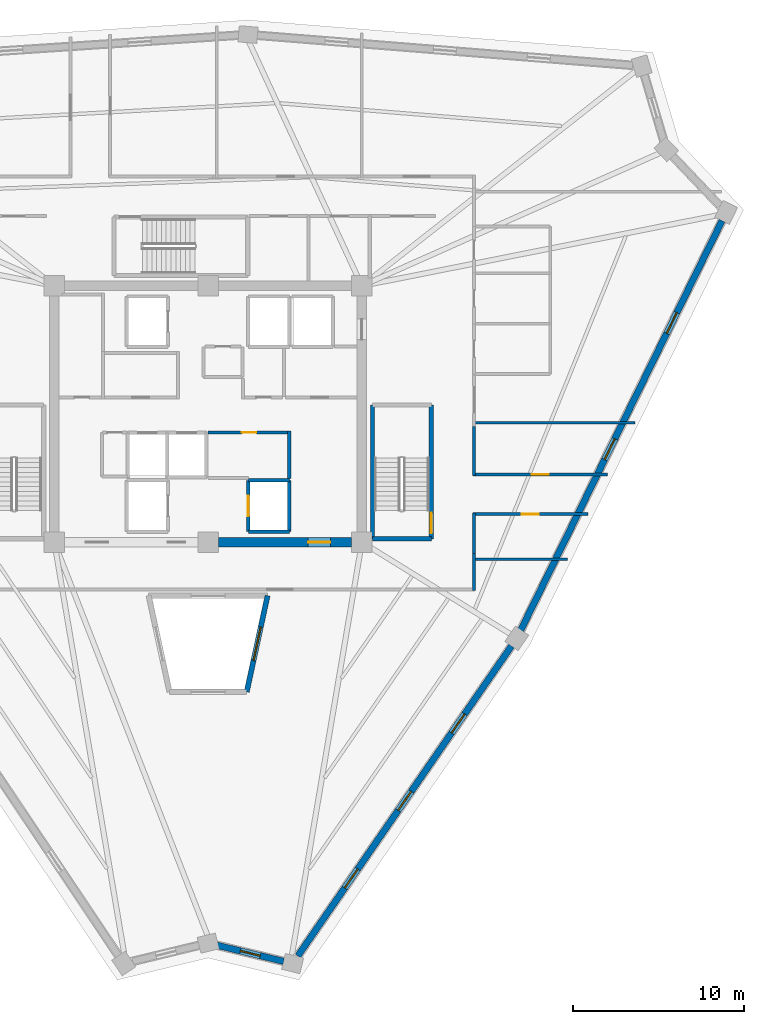
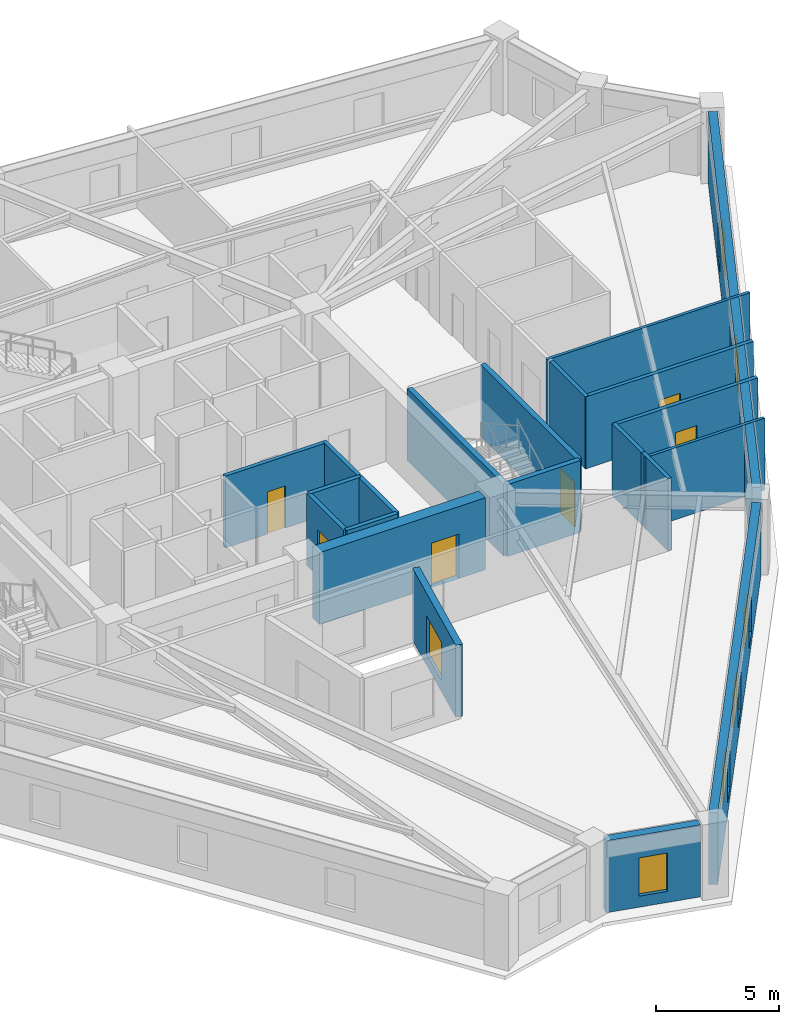
# One storey, part 4 of 8: 21 walls, 7 windows, 6 doors, 13 openings.
"""IFC4 building model written with IfcOpenShell, lengths in metres."""

from ifc_helpers import new_model, si_unit, direction, frame, frame_2d, origin, place, context, subcontext, project, spatial, rectangle, extrude, source, transform, mapped, material, layer, layer_set, type_object, element, fill, save


model = new_model("IFC4")

# Units and contexts
model_context = context("Model", 3, precision=1e-05, world=origin(), true_north=direction((0.0, 1.0)))
body_context = subcontext(model_context, "Body", "Model", "MODEL_VIEW")
ifc_project = project(units=[si_unit("LENGTHUNIT", "METRE"), si_unit("AREAUNIT", "SQUARE_METRE"), si_unit("VOLUMEUNIT", "CUBIC_METRE"), si_unit("PLANEANGLEUNIT", "RADIAN"), si_unit("MASSUNIT", "GRAM", prefix="KILO")], contexts=[model_context])

# Site, building, storey
site_placement = place(None, origin())
site = spatial("IfcSite", under=ifc_project, at=site_placement, CompositionType="ELEMENT")
building_placement = place(site_placement, origin())
building = spatial("IfcBuilding", under=site, at=building_placement, Name="Liaohun Quay Tower", CompositionType="ELEMENT")
storey_placement = place(building_placement, frame((0.0, 0.0, 305.25)))
storey = spatial("IfcBuildingStorey", under=building, at=storey_placement, Name="L79", CompositionType="ELEMENT", Elevation=305.25)

# Wall, opening, window
ifc_material_1 = material(Name="Concrete C50", Category="concrete")
ifc_layer_1 = layer(ifc_material_1, 0.300048828125, Name="Concrete C50", Category="concrete")
ifc_layer_set_1 = layer_set([ifc_layer_1], Name="Concrete C50")
wall_type_1 = type_object("IfcWallType", Name="WAL-ATR-300", PredefinedType="SOLIDWALL", material=ifc_layer_set_1)
wall_1_placement = place(storey_placement, frame((63.47900390625, 43.3701171875, 0.0), z_axis=(0.0, 0.0, 1.0), x_axis=(-0.211447694839, -0.977389314627, 0.0)))
wall_1 = element("IfcWall", 1, at=wall_1_placement, inside=storey, type_object=wall_type_1, Name="L79 Atrium Fire Compartment Wall 3", PredefinedType="SOLIDWALL", context=body_context, shape_type="SweptSolid", body=[
    extrude(rectangle(XDim=5.76025390625, YDim=0.300048828125, at=frame_2d((2.880126953125, 0.0))), origin(), (0.0, 0.0, 1.0), 3.570068359375),
])
shared_shape_1 = source(origin(), body_context, "Body", "SweptSolid", [
    extrude(rectangle(XDim=2.0, YDim=1.89990234375, at=frame_2d((1.0, 0.949951171875))), frame((0.0, 0.159912109375, 0.0), z_axis=(0.0, -1.0, 0.0), x_axis=(1.0, 0.0, 0.0)), (0.0, 0.0, 1.0), 0.320068359375),
])
opening_1_placement = place(wall_1_placement, frame((1.8798828125, 0.0, 0.550048828125)))
opening_1 = element("IfcOpeningElement", 2, at=opening_1_placement, cuts=wall_1, Name="Opening W07", PredefinedType="OPENING", context=body_context, shape_type="MappedRepresentation", body=[
    mapped(shared_shape_1, transform((0.0, 0.0, 0.0), x_axis=(1.0, 0.0, 0.0), y_axis=(0.0, 1.0, 0.0), z_axis=(0.0, 0.0, 1.0), scale=1.0)),
])
ifc_material_2 = material(Name="Class A 180-min fire-resistant insulated glazing", Category="glass")
window_type_1 = type_object("IfcWindowType", Name="WIN-ATR-FIR", PartitioningType="DOUBLE_PANEL_VERTICAL", PredefinedType="WINDOW", material=ifc_material_2)
shared_shape_2 = source(origin(), body_context, "Body", "SweptSolid", [
    extrude(rectangle(XDim=2.0, YDim=1.89990234375, at=frame_2d((1.0, 0.949951171875))), frame((0.0, 0.030029296875, 0.0), z_axis=(0.0, -1.0, 0.0), x_axis=(1.0, 0.0, 0.0)), (0.0, 0.0, 1.0), 0.06005859375),
])
window_1_placement = place(opening_1_placement, origin())
window_1 = element("IfcWindow", 3, at=window_1_placement, inside=storey, type_object=window_type_1, Name="L79 Atrium Fire-Resistant Glazing W07-3", OverallHeight=1.89990234375, OverallWidth=2.0, PartitioningType="DOUBLE_PANEL_VERTICAL", PredefinedType="WINDOW", context=body_context, shape_type="MappedRepresentation", body=[
    mapped(shared_shape_2, transform((0.0, 0.0, 0.0), x_axis=(1.0, 0.0, 0.0), y_axis=(0.0, 1.0, 0.0), z_axis=(0.0, 0.0, 1.0), scale=1.0)),
])
fill(opening_1, window_1)

# Wall, opening, door
ifc_layer_2 = layer(ifc_material_1, 0.550048828125, Name="Concrete C50", Category="concrete")
ifc_layer_set_2 = layer_set([ifc_layer_2], Name="Concrete C50")
wall_type_2 = type_object("IfcWallType", Name="WAL-COR-Z4", PredefinedType="SHEAR", material=ifc_layer_set_2)
wall_2_placement = place(storey_placement, frame((68.39990234375, 46.5, 0.0), z_axis=(0.0, 0.0, 1.0), x_axis=(-1.0, 0.0, 0.0)))
wall_2 = element("IfcWall", 4, at=wall_2_placement, inside=storey, type_object=wall_type_2, Name="L79 Central Core Shear Wall S-E", PredefinedType="SHEAR", context=body_context, shape_type="SweptSolid", body=[
    extrude(rectangle(XDim=7.7998046875, YDim=0.550048828125, at=frame_2d((3.89990234375, 0.0))), origin(), (0.0, 0.0, 1.0), 3.570068359375),
])
shared_shape_3 = source(origin(), body_context, "Body", "SweptSolid", [
    extrude(rectangle(XDim=1.300048828125, YDim=2.199951171875, at=frame_2d((0.64990234375, 1.10009765625))), frame((0.0, 0.284912109375, 0.0), z_axis=(0.0, -1.0, 0.0), x_axis=(1.0, 0.0, 0.0)), (0.0, 0.0, 1.0), 0.570068359375),
])
opening_2_placement = place(wall_2_placement, frame((1.25, 0.0, 0.0)))
opening_2 = element("IfcOpeningElement", 5, at=opening_2_placement, cuts=wall_2, Name="Opening FD1", PredefinedType="OPENING", context=body_context, shape_type="MappedRepresentation", body=[
    mapped(shared_shape_3, transform((0.0, 0.0, 0.0), x_axis=(1.0, 0.0, 0.0), y_axis=(0.0, 1.0, 0.0), z_axis=(0.0, 0.0, 1.0), scale=1.0)),
])
ifc_material_3 = material(Name="Galvanised steel smokeproof fire door", Category="steel")
door_type_1 = type_object("IfcDoorType", Name="DOR-FFL-1300", OperationType="NOTDEFINED", PredefinedType="DOOR", material=ifc_material_3)
shared_shape_4 = source(origin(), body_context, "Body", "SweptSolid", [
    extrude(rectangle(XDim=1.300048828125, YDim=2.199951171875, at=frame_2d((0.64990234375, 1.10009765625))), frame((0.0, 0.02490234375, 0.0), z_axis=(0.0, -1.0, 0.0), x_axis=(1.0, 0.0, 0.0)), (0.0, 0.0, 1.0), 0.050048828125),
])
door_1_placement = place(opening_2_placement, origin())
door_1 = element("IfcDoor", 6, at=door_1_placement, inside=storey, type_object=door_type_1, Name="L79 East Core Lift Lobby Smokeproof Door", OperationType="SINGLE_SWING_LEFT", OverallHeight=2.199951171875, OverallWidth=1.300048828125, PredefinedType="DOOR", context=body_context, shape_type="MappedRepresentation", body=[
    mapped(shared_shape_4, transform((0.0, 0.0, 0.0), x_axis=(1.0, 0.0, 0.0), y_axis=(0.0, 1.0, 0.0), z_axis=(0.0, 0.0, 1.0), scale=1.0)),
])
fill(opening_2, door_1)

# Wall, opening, window
ifc_material_4 = material(Name="Precast concrete C50 insulated sandwich", Category="concrete")
ifc_layer_3 = layer(ifc_material_4, 0.3798828125, Name="Precast concrete C50 insulated sandwich", Category="concrete")
ifc_layer_set_3 = layer_set([ifc_layer_3], Name="Precast concrete C50 insulated sandwich")
wall_type_3 = type_object("IfcWallType", Name="WAL-EXT-Z34", PredefinedType="SOLIDWALL", material=ifc_layer_set_3)
wall_3_placement = place(storey_placement, frame((60.52490234375, 22.9130859375, 0.0), z_axis=(0.0, 0.0, 1.0), x_axis=(0.972056339679, -0.234747678348, 0.0)))
wall_3 = element("IfcWall", 7, at=wall_3_placement, inside=storey, type_object=wall_type_3, Name="L79 Brutalist Precast Pier Wall 01", PredefinedType="SOLIDWALL", context=body_context, shape_type="SweptSolid", body=[
    extrude(rectangle(XDim=4.00927734375, YDim=0.3798828125, at=frame_2d((2.004638671875, 0.0))), origin(), (0.0, 0.0, 1.0), 3.570068359375),
])
shared_shape_5 = source(origin(), body_context, "Body", "SweptSolid", [
    extrude(rectangle(XDim=1.199951171875, YDim=1.89990234375, at=frame_2d((0.60009765625, 0.949951171875))), frame((0.0, 0.199951171875, 0.0), z_axis=(0.0, -1.0, 0.0), x_axis=(1.0, 0.0, 0.0)), (0.0, 0.0, 1.0), 0.39990234375),
])
opening_3_placement = place(wall_3_placement, frame((1.405029296875, 0.0, 0.550048828125)))
opening_3 = element("IfcOpeningElement", 8, at=opening_3_placement, cuts=wall_3, Name="Opening W05", PredefinedType="OPENING", context=body_context, shape_type="MappedRepresentation", body=[
    mapped(shared_shape_5, transform((0.0, 0.0, 0.0), x_axis=(1.0, 0.0, 0.0), y_axis=(0.0, 1.0, 0.0), z_axis=(0.0, 0.0, 1.0), scale=1.0)),
])
ifc_material_5 = material(Name="Triple Low-E corner notch glazing", Category="glass")
window_type_2 = type_object("IfcWindowType", Name="WIN-NOTCH", PartitioningType="SINGLE_PANEL", PredefinedType="WINDOW", material=ifc_material_5)
shared_shape_6 = source(origin(), body_context, "Body", "SweptSolid", [
    extrude(rectangle(XDim=1.199951171875, YDim=1.89990234375, at=frame_2d((0.60009765625, 0.949951171875))), frame((0.0, 0.030029296875, 0.0), z_axis=(0.0, -1.0, 0.0), x_axis=(1.0, 0.0, 0.0)), (0.0, 0.0, 1.0), 0.06005859375),
])
window_2_placement = place(opening_3_placement, origin())
window_2 = element("IfcWindow", 9, at=window_2_placement, inside=storey, type_object=window_type_2, Name="L79 Corner Notch Window W05-01", OverallHeight=1.89990234375, OverallWidth=1.199951171875, PartitioningType="SINGLE_PANEL", PredefinedType="WINDOW", context=body_context, shape_type="MappedRepresentation", body=[
    mapped(shared_shape_6, transform((0.0, 0.0, 0.0), x_axis=(1.0, 0.0, 0.0), y_axis=(0.0, 1.0, 0.0), z_axis=(0.0, 0.0, 1.0), scale=1.0)),
])
fill(opening_3, window_2)

# Wall, openings, windows
wall_4_placement = place(storey_placement, frame((65.2529296875, 22.2900390625, 0.0), z_axis=(0.0, 0.0, 1.0), x_axis=(0.567535350135, 0.823349030695, 0.0)))
wall_4 = element("IfcWall", 10, at=wall_4_placement, inside=storey, type_object=wall_type_3, Name="L79 Brutalist Precast Pier Wall 02", PredefinedType="SOLIDWALL", context=body_context, shape_type="SweptSolid", body=[
    extrude(rectangle(XDim=22.03076171875, YDim=0.3798828125, at=frame_2d((11.015380859375, 0.0))), origin(), (0.0, 0.0, 1.0), 3.570068359375),
])
shared_shape_7 = source(origin(), body_context, "Body", "SweptSolid", [
    extrude(rectangle(XDim=1.35009765625, YDim=1.85009765625, at=frame_2d((0.675048828125, 0.925048828125))), frame((0.0, 0.199951171875, 0.0), z_axis=(0.0, -1.0, 0.0), x_axis=(1.0, 0.0, 0.0)), (0.0, 0.0, 1.0), 0.39990234375),
])
opening_4_placement = place(wall_4_placement, frame((4.8330078125, 0.0, 0.550048828125)))
opening_4 = element("IfcOpeningElement", 11, at=opening_4_placement, cuts=wall_4, Name="Opening W04", PredefinedType="OPENING", context=body_context, shape_type="MappedRepresentation", body=[
    mapped(shared_shape_7, transform((0.0, 0.0, 0.0), x_axis=(1.0, 0.0, 0.0), y_axis=(0.0, 1.0, 0.0), z_axis=(0.0, 0.0, 1.0), scale=1.0)),
])
opening_5_placement = place(wall_4_placement, frame((10.340087890625, 0.0, 0.550048828125)))
opening_5 = element("IfcOpeningElement", 12, at=opening_5_placement, cuts=wall_4, Name="Opening W04", PredefinedType="OPENING", context=body_context, shape_type="MappedRepresentation", body=[
    mapped(shared_shape_7, transform((0.0, 0.0, 0.0), x_axis=(1.0, 0.0, 0.0), y_axis=(0.0, 1.0, 0.0), z_axis=(0.0, 0.0, 1.0), scale=1.0)),
])
opening_6_placement = place(wall_4_placement, frame((15.847900390625, 0.0, 0.550048828125)))
opening_6 = element("IfcOpeningElement", 13, at=opening_6_placement, cuts=wall_4, Name="Opening W04", PredefinedType="OPENING", context=body_context, shape_type="MappedRepresentation", body=[
    mapped(shared_shape_7, transform((0.0, 0.0, 0.0), x_axis=(1.0, 0.0, 0.0), y_axis=(0.0, 1.0, 0.0), z_axis=(0.0, 0.0, 1.0), scale=1.0)),
])
ifc_material_6 = material(Name="Triple Low-E argon glazing in thermally broken aluminium", Category="aluminium")
window_type_3 = type_object("IfcWindowType", Name="WIN-PUN-Z4", PartitioningType="SINGLE_PANEL", PredefinedType="WINDOW", material=ifc_material_6)
shared_shape_8 = source(origin(), body_context, "Body", "SweptSolid", [
    extrude(rectangle(XDim=1.35009765625, YDim=1.85009765625, at=frame_2d((0.675048828125, 0.925048828125))), frame((0.0, 0.030029296875, 0.0), z_axis=(0.0, -1.0, 0.0), x_axis=(1.0, 0.0, 0.0)), (0.0, 0.0, 1.0), 0.06005859375),
])
window_3_placement = place(opening_4_placement, origin())
window_3 = element("IfcWindow", 14, at=window_3_placement, inside=storey, type_object=window_type_3, Name="L79 Recessed Cold-Climate Punched Window 02-1", OverallHeight=1.85009765625, OverallWidth=1.35009765625, PartitioningType="SINGLE_PANEL", PredefinedType="WINDOW", context=body_context, shape_type="MappedRepresentation", body=[
    mapped(shared_shape_8, transform((0.0, 0.0, 0.0), x_axis=(1.0, 0.0, 0.0), y_axis=(0.0, 1.0, 0.0), z_axis=(0.0, 0.0, 1.0), scale=1.0)),
])
fill(opening_4, window_3)
window_4_placement = place(opening_5_placement, origin())
window_4 = element("IfcWindow", 15, at=window_4_placement, inside=storey, type_object=window_type_3, Name="L79 Recessed Cold-Climate Punched Window 02-2", OverallHeight=1.85009765625, OverallWidth=1.35009765625, PartitioningType="SINGLE_PANEL", PredefinedType="WINDOW", context=body_context, shape_type="MappedRepresentation", body=[
    mapped(shared_shape_8, transform((0.0, 0.0, 0.0), x_axis=(1.0, 0.0, 0.0), y_axis=(0.0, 1.0, 0.0), z_axis=(0.0, 0.0, 1.0), scale=1.0)),
])
fill(opening_5, window_4)
window_5_placement = place(opening_6_placement, origin())
window_5 = element("IfcWindow", 16, at=window_5_placement, inside=storey, type_object=window_type_3, Name="L79 Recessed Cold-Climate Punched Window 02-3", OverallHeight=1.85009765625, OverallWidth=1.35009765625, PartitioningType="SINGLE_PANEL", PredefinedType="WINDOW", context=body_context, shape_type="MappedRepresentation", body=[
    mapped(shared_shape_8, transform((0.0, 0.0, 0.0), x_axis=(1.0, 0.0, 0.0), y_axis=(0.0, 1.0, 0.0), z_axis=(0.0, 0.0, 1.0), scale=1.0)),
])
fill(opening_6, window_5)

wall_5_placement = place(storey_placement, frame((78.300048828125, 41.35888671875, 0.0), z_axis=(0.0, 0.0, 1.0), x_axis=(0.441159552697, 0.897428687453, 0.0)))
wall_5 = element("IfcWall", 17, at=wall_5_placement, inside=storey, type_object=wall_type_3, Name="L79 Brutalist Precast Pier Wall 03", PredefinedType="SOLIDWALL", context=body_context, shape_type="SweptSolid", body=[
    extrude(rectangle(XDim=26.693115234375, YDim=0.3798828125, at=frame_2d((13.3466796875, 0.0))), origin(), (0.0, 0.0, 1.0), 3.570068359375),
])
opening_7_placement = place(wall_5_placement, frame((11.12109375, 0.0, 0.550048828125)))
opening_7 = element("IfcOpeningElement", 18, at=opening_7_placement, cuts=wall_5, Name="Opening W04", PredefinedType="OPENING", context=body_context, shape_type="MappedRepresentation", body=[
    mapped(shared_shape_7, transform((0.0, 0.0, 0.0), x_axis=(1.0, 0.0, 0.0), y_axis=(0.0, 1.0, 0.0), z_axis=(0.0, 0.0, 1.0), scale=1.0)),
])
opening_8_placement = place(wall_5_placement, frame((19.344970703125, 0.0, 0.550048828125)))
opening_8 = element("IfcOpeningElement", 19, at=opening_8_placement, cuts=wall_5, Name="Opening W04", PredefinedType="OPENING", context=body_context, shape_type="MappedRepresentation", body=[
    mapped(shared_shape_7, transform((0.0, 0.0, 0.0), x_axis=(1.0, 0.0, 0.0), y_axis=(0.0, 1.0, 0.0), z_axis=(0.0, 0.0, 1.0), scale=1.0)),
])
window_6_placement = place(opening_7_placement, origin())
window_6 = element("IfcWindow", 20, at=window_6_placement, inside=storey, type_object=window_type_3, Name="L79 Recessed Cold-Climate Punched Window 03-2", OverallHeight=1.85009765625, OverallWidth=1.35009765625, PartitioningType="SINGLE_PANEL", PredefinedType="WINDOW", context=body_context, shape_type="MappedRepresentation", body=[
    mapped(shared_shape_8, transform((0.0, 0.0, 0.0), x_axis=(1.0, 0.0, 0.0), y_axis=(0.0, 1.0, 0.0), z_axis=(0.0, 0.0, 1.0), scale=1.0)),
])
fill(opening_7, window_6)
window_7_placement = place(opening_8_placement, origin())
window_7 = element("IfcWindow", 21, at=window_7_placement, inside=storey, type_object=window_type_3, Name="L79 Recessed Cold-Climate Punched Window 03-3", OverallHeight=1.85009765625, OverallWidth=1.35009765625, PartitioningType="SINGLE_PANEL", PredefinedType="WINDOW", context=body_context, shape_type="MappedRepresentation", body=[
    mapped(shared_shape_8, transform((0.0, 0.0, 0.0), x_axis=(1.0, 0.0, 0.0), y_axis=(0.0, 1.0, 0.0), z_axis=(0.0, 0.0, 1.0), scale=1.0)),
])
fill(opening_8, window_7)

# Wall, opening, door
ifc_material_7 = material(Name="Autoclaved aerated concrete blockwork", Category="masonry")
ifc_layer_4 = layer(ifc_material_7, 0.179931640625, Name="Autoclaved aerated concrete blockwork", Category="masonry")
ifc_layer_set_4 = layer_set([ifc_layer_4], Name="Autoclaved aerated concrete blockwork")
wall_type_4 = type_object("IfcWallType", Name="WAL-PRT-COR", PredefinedType="PARTITIONING", material=ifc_layer_set_4)
wall_6_placement = place(storey_placement, frame((60.0, 52.919921875, 0.0), z_axis=(0.0, 0.0, 1.0), x_axis=(1.0, 0.0, 0.0)))
wall_6 = element("IfcWall", 22, at=wall_6_placement, inside=storey, type_object=wall_type_4, Name="L79 Interior Partition Wall 001", PredefinedType="PARTITIONING", context=body_context, shape_type="SweptSolid", body=[
    extrude(rectangle(XDim=4.659912109375, YDim=0.179931640625, at=frame_2d((2.330078125, 0.0))), origin(), (0.0, 0.0, 1.0), 3.570068359375),
])
shared_shape_9 = source(origin(), body_context, "Body", "SweptSolid", [
    extrude(rectangle(XDim=0.85009765625, YDim=2.10009765625, at=frame_2d((0.425048828125, 1.050048828125))), frame((0.0, 0.099853515625, 0.0), z_axis=(0.0, -1.0, 0.0), x_axis=(1.0, 0.0, 0.0)), (0.0, 0.0, 1.0), 0.199951171875),
])
opening_9_placement = place(wall_6_placement, frame((1.97509765625, 0.0, 0.0)))
opening_9 = element("IfcOpeningElement", 23, at=opening_9_placement, cuts=wall_6, Name="Opening AD1", PredefinedType="OPENING", context=body_context, shape_type="MappedRepresentation", body=[
    mapped(shared_shape_9, transform((0.0, 0.0, 0.0), x_axis=(1.0, 0.0, 0.0), y_axis=(0.0, 1.0, 0.0), z_axis=(0.0, 0.0, 1.0), scale=1.0)),
])
ifc_material_8 = material(Name="Steel riser inspection fire door", Category="steel")
door_type_2 = type_object("IfcDoorType", Name="DOR-SHF-850", OperationType="NOTDEFINED", PredefinedType="DOOR", material=ifc_material_8)
shared_shape_10 = source(origin(), body_context, "Body", "SweptSolid", [
    extrude(rectangle(XDim=0.85009765625, YDim=2.10009765625, at=frame_2d((0.425048828125, 1.050048828125))), frame((0.0, 0.02490234375, 0.0), z_axis=(0.0, -1.0, 0.0), x_axis=(1.0, 0.0, 0.0)), (0.0, 0.0, 1.0), 0.050048828125),
])
door_2_placement = place(opening_9_placement, origin())
door_2 = element("IfcDoor", 24, at=door_2_placement, inside=storey, type_object=door_type_2, Name="L79 Core High-Zone BMS and Switch Room Door", OperationType="SINGLE_SWING_LEFT", OverallHeight=2.10009765625, OverallWidth=0.85009765625, PredefinedType="DOOR", context=body_context, shape_type="MappedRepresentation", body=[
    mapped(shared_shape_10, transform((0.0, 0.0, 0.0), x_axis=(1.0, 0.0, 0.0), y_axis=(0.0, 1.0, 0.0), z_axis=(0.0, 0.0, 1.0), scale=1.0)),
])
fill(opening_9, door_2)

wall_7_placement = place(storey_placement, frame((82.22705078125, 48.139892578125, 0.0), z_axis=(0.0, 0.0, 1.0), x_axis=(-1.0, 0.0, 0.0)))
wall_7 = element("IfcWall", 25, at=wall_7_placement, inside=storey, type_object=wall_type_4, Name="L79 Interior Partition Wall 025", PredefinedType="PARTITIONING", context=body_context, shape_type="SweptSolid", body=[
    extrude(rectangle(XDim=6.737060546875, YDim=0.179931640625, at=frame_2d((3.36865234375, 0.0))), origin(), (0.0, 0.0, 1.0), 3.570068359375),
])
shared_shape_11 = source(origin(), body_context, "Body", "SweptSolid", [
    extrude(rectangle(XDim=1.0, YDim=2.199951171875, at=frame_2d((0.5, 1.10009765625))), frame((0.0, 0.099853515625, 0.0), z_axis=(0.0, -1.0, 0.0), x_axis=(1.0, 0.0, 0.0)), (0.0, 0.0, 1.0), 0.199951171875),
])
opening_10_placement = place(wall_7_placement, frame((2.868896484375, 0.0, 0.0)))
opening_10 = element("IfcOpeningElement", 26, at=opening_10_placement, cuts=wall_7, Name="Opening OD1", PredefinedType="OPENING", context=body_context, shape_type="MappedRepresentation", body=[
    mapped(shared_shape_11, transform((0.0, 0.0, 0.0), x_axis=(1.0, 0.0, 0.0), y_axis=(0.0, 1.0, 0.0), z_axis=(0.0, 0.0, 1.0), scale=1.0)),
])
ifc_material_9 = material(Name="Solid-core oak veneer timber leaf in steel frame", Category="steel")
door_type_3 = type_object("IfcDoorType", Name="DOR-OFF-1000", OperationType="NOTDEFINED", PredefinedType="DOOR", material=ifc_material_9)
shared_shape_12 = source(origin(), body_context, "Body", "SweptSolid", [
    extrude(rectangle(XDim=1.0, YDim=2.199951171875, at=frame_2d((0.5, 1.10009765625))), frame((0.0, 0.02490234375, 0.0), z_axis=(0.0, -1.0, 0.0), x_axis=(1.0, 0.0, 0.0)), (0.0, 0.0, 1.0), 0.050048828125),
])
door_3_placement = place(opening_10_placement, origin())
door_3 = element("IfcDoor", 27, at=door_3_placement, inside=storey, type_object=door_type_3, Name="L79 Executive Partner Office 11 Door", OperationType="SINGLE_SWING_LEFT", OverallHeight=2.199951171875, OverallWidth=1.0, PredefinedType="DOOR", context=body_context, shape_type="MappedRepresentation", body=[
    mapped(shared_shape_12, transform((0.0, 0.0, 0.0), x_axis=(1.0, 0.0, 0.0), y_axis=(0.0, 1.0, 0.0), z_axis=(0.0, 0.0, 1.0), scale=1.0)),
])
fill(opening_10, door_3)

wall_8_placement = place(storey_placement, frame((75.489990234375, 50.4599609375, 0.0), z_axis=(0.0, 0.0, 1.0), x_axis=(1.0, 0.0, 0.0)))
wall_8 = element("IfcWall", 28, at=wall_8_placement, inside=storey, type_object=wall_type_4, Name="L79 Interior Partition Wall 026", PredefinedType="PARTITIONING", context=body_context, shape_type="SweptSolid", body=[
    extrude(rectangle(XDim=7.876953125, YDim=0.179931640625, at=frame_2d((3.9384765625, 0.0))), origin(), (0.0, 0.0, 1.0), 3.570068359375),
])
opening_11_placement = place(wall_8_placement, frame((3.43896484375, 0.0, 0.0)))
opening_11 = element("IfcOpeningElement", 29, at=opening_11_placement, cuts=wall_8, Name="Opening OD1", PredefinedType="OPENING", context=body_context, shape_type="MappedRepresentation", body=[
    mapped(shared_shape_11, transform((0.0, 0.0, 0.0), x_axis=(1.0, 0.0, 0.0), y_axis=(0.0, 1.0, 0.0), z_axis=(0.0, 0.0, 1.0), scale=1.0)),
])
door_4_placement = place(opening_11_placement, origin())
door_4 = element("IfcDoor", 30, at=door_4_placement, inside=storey, type_object=door_type_3, Name="L79 Client Reception Office 12 Door", OperationType="SINGLE_SWING_RIGHT", OverallHeight=2.199951171875, OverallWidth=1.0, PredefinedType="DOOR", context=body_context, shape_type="MappedRepresentation", body=[
    mapped(shared_shape_12, transform((0.0, 0.0, 0.0), x_axis=(1.0, 0.0, 0.0), y_axis=(0.0, 1.0, 0.0), z_axis=(0.0, 0.0, 1.0), scale=1.0)),
])
fill(opening_11, door_4)

# Walls
wall_9_placement = place(storey_placement, frame((75.56005859375, 45.8349609375, 0.0), z_axis=(0.0, 0.0, 1.0), x_axis=(0.0, -1.0, 0.0)))
element("IfcWall", 31, at=wall_9_placement, inside=storey, type_object=wall_type_4, Name="L79 Interior Partition Wall 045", PredefinedType="PARTITIONING", context=body_context, shape_type="SweptSolid", body=[
    extrude(rectangle(XDim=2.1650390625, YDim=0.179931640625, at=frame_2d((1.08251953125, 0.0))), origin(), (0.0, 0.0, 1.0), 3.570068359375),
])
wall_10_placement = place(storey_placement, frame((75.56005859375, 48.2099609375, 0.0), z_axis=(0.0, 0.0, 1.0), x_axis=(0.0, -1.0, 0.0)))
element("IfcWall", 32, at=wall_10_placement, inside=storey, type_object=wall_type_4, Name="L79 Interior Partition Wall 047", PredefinedType="PARTITIONING", context=body_context, shape_type="SweptSolid", body=[
    extrude(rectangle(XDim=2.375, YDim=0.179931640625, at=frame_2d((1.1875, 0.0))), origin(), (0.0, 0.0, 1.0), 3.570068359375),
])
wall_11_placement = place(storey_placement, frame((75.56005859375, 53.284912109375, 0.0), z_axis=(0.0, 0.0, 1.0), x_axis=(0.0, -1.0, 0.0)))
element("IfcWall", 33, at=wall_11_placement, inside=storey, type_object=wall_type_4, Name="L79 Interior Partition Wall 048", PredefinedType="PARTITIONING", context=body_context, shape_type="SweptSolid", body=[
    extrude(rectangle(XDim=2.89501953125, YDim=0.179931640625, at=frame_2d((1.447509765625, 0.0))), origin(), (0.0, 0.0, 1.0), 3.570068359375),
])
wall_12_placement = place(storey_placement, frame((64.75, 50.219970703125, 0.0), z_axis=(0.0, 0.0, 1.0), x_axis=(0.0, 1.0, 0.0)))
element("IfcWall", 34, at=wall_12_placement, inside=storey, type_object=wall_type_4, Name="L79 Interior Partition Wall 059", PredefinedType="PARTITIONING", context=body_context, shape_type="SweptSolid", body=[
    extrude(rectangle(XDim=2.7900390625, YDim=0.179931640625, at=frame_2d((1.39501953125, 0.0))), origin(), (0.0, 0.0, 1.0), 3.570068359375),
])
ifc_material_10 = material(Name="Gypsum board on twin steel studs", Category="steel")
ifc_layer_5 = layer(ifc_material_10, 0.139892578125, Name="Gypsum board on twin steel studs", Category="steel")
ifc_layer_set_5 = layer_set([ifc_layer_5], Name="Gypsum board on twin steel studs")
wall_type_5 = type_object("IfcWallType", Name="WAL-PRT-OFF", PredefinedType="PARTITIONING", material=ifc_layer_set_5)
wall_13_placement = place(storey_placement, frame((75.4599609375, 45.5, 0.0), z_axis=(0.0, 0.0, 1.0), x_axis=(1.0, 0.0, 0.0)))
element("IfcWall", 35, at=wall_13_placement, inside=storey, type_object=wall_type_5, Name="L79 Interior Partition Wall 054", PredefinedType="PARTITIONING", context=body_context, shape_type="SweptSolid", body=[
    extrude(rectangle(XDim=5.578125, YDim=0.139892578125, at=frame_2d((2.7890625, 0.0))), origin(), (0.0, 0.0, 1.0), 3.570068359375),
])
wall_14_placement = place(storey_placement, frame((75.4599609375, 53.5, 0.0), z_axis=(0.0, 0.0, 1.0), x_axis=(1.0, 0.0, 0.0)))
element("IfcWall", 36, at=wall_14_placement, inside=storey, type_object=wall_type_5, Name="L79 Interior Partition Wall 055", PredefinedType="PARTITIONING", context=body_context, shape_type="SweptSolid", body=[
    extrude(rectangle(XDim=9.510009765625, YDim=0.139892578125, at=frame_2d((4.7548828125, 0.0))), origin(), (0.0, 0.0, 1.0), 3.570068359375),
])
ifc_layer_6 = layer(ifc_material_1, 0.239990234375, Name="Concrete C50", Category="concrete")
ifc_layer_set_6 = layer_set([ifc_layer_6], Name="Concrete C50")
wall_type_6 = type_object("IfcWallType", Name="WAL-SHF-200", PredefinedType="SOLIDWALL", material=ifc_layer_set_6)
wall_15_placement = place(storey_placement, frame((69.6201171875, 46.699951171875, 0.0), z_axis=(0.0, 0.0, 1.0), x_axis=(1.0, 0.0, 0.0)))
element("IfcWall", 37, at=wall_15_placement, inside=storey, type_object=wall_type_6, Name="L79 Stairwell ST-2 Structural Core Wall S", PredefinedType="SOLIDWALL", context=body_context, shape_type="SweptSolid", body=[
    extrude(rectangle(XDim=3.43994140625, YDim=0.239990234375, at=frame_2d((1.719970703125, 0.0))), origin(), (0.0, 0.0, 1.0), 3.570068359375),
])

# Wall, opening, door
wall_16_placement = place(storey_placement, frame((73.06005859375, 46.699951171875, 0.0), z_axis=(0.0, 0.0, 1.0), x_axis=(0.0, 1.0, 0.0)))
wall_16 = element("IfcWall", 38, at=wall_16_placement, inside=storey, type_object=wall_type_6, Name="L79 Stairwell ST-2 Structural Core Wall E", PredefinedType="SOLIDWALL", context=body_context, shape_type="SweptSolid", body=[
    extrude(rectangle(XDim=7.820068359375, YDim=0.239990234375, at=frame_2d((3.91015625, 0.0))), origin(), (0.0, 0.0, 1.0), 3.570068359375),
])
shared_shape_13 = source(origin(), body_context, "Body", "SweptSolid", [
    extrude(rectangle(XDim=1.199951171875, YDim=2.199951171875, at=frame_2d((0.60009765625, 1.10009765625))), frame((0.0, 0.1298828125, 0.0), z_axis=(0.0, -1.0, 0.0), x_axis=(1.0, 0.0, 0.0)), (0.0, 0.0, 1.0), 0.260009765625),
])
opening_12_placement = place(wall_16_placement, frame((0.320068359375, 0.0, 0.0)))
opening_12 = element("IfcOpeningElement", 39, at=opening_12_placement, cuts=wall_16, Name="Opening SD1", PredefinedType="OPENING", context=body_context, shape_type="MappedRepresentation", body=[
    mapped(shared_shape_13, transform((0.0, 0.0, 0.0), x_axis=(1.0, 0.0, 0.0), y_axis=(0.0, 1.0, 0.0), z_axis=(0.0, 0.0, 1.0), scale=1.0)),
])
ifc_material_11 = material(Name="Galvanised steel fire door", Category="steel")
door_type_4 = type_object("IfcDoorType", Name="DOR-STR-1200", OperationType="NOTDEFINED", PredefinedType="DOOR", material=ifc_material_11)
shared_shape_14 = source(origin(), body_context, "Body", "SweptSolid", [
    extrude(rectangle(XDim=1.199951171875, YDim=2.199951171875, at=frame_2d((0.60009765625, 1.10009765625))), frame((0.0, 0.02490234375, 0.0), z_axis=(0.0, -1.0, 0.0), x_axis=(1.0, 0.0, 0.0)), (0.0, 0.0, 1.0), 0.050048828125),
])
door_5_placement = place(opening_12_placement, origin())
door_5 = element("IfcDoor", 40, at=door_5_placement, inside=storey, type_object=door_type_4, Name="L79 Protected Stair ST-2 Fire Door", OperationType="SINGLE_SWING_RIGHT", OverallHeight=2.199951171875, OverallWidth=1.199951171875, PredefinedType="DOOR", context=body_context, shape_type="MappedRepresentation", body=[
    mapped(shared_shape_14, transform((0.0, 0.0, 0.0), x_axis=(1.0, 0.0, 0.0), y_axis=(0.0, 1.0, 0.0), z_axis=(0.0, 0.0, 1.0), scale=1.0)),
])
fill(opening_12, door_5)

# Walls
wall_17_placement = place(storey_placement, frame((69.6201171875, 54.52001953125, 0.0), z_axis=(0.0, 0.0, 1.0), x_axis=(0.0, -1.0, 0.0)))
element("IfcWall", 41, at=wall_17_placement, inside=storey, type_object=wall_type_6, Name="L79 Stairwell ST-2 Structural Core Wall W", PredefinedType="SOLIDWALL", context=body_context, shape_type="SweptSolid", body=[
    extrude(rectangle(XDim=7.820068359375, YDim=0.239990234375, at=frame_2d((3.91015625, 0.0))), origin(), (0.0, 0.0, 1.0), 3.570068359375),
])
wall_18_placement = place(storey_placement, frame((62.35009765625, 47.1201171875, 0.0), z_axis=(0.0, 0.0, 1.0), x_axis=(1.0, 0.0, 0.0)))
element("IfcWall", 42, at=wall_18_placement, inside=storey, type_object=wall_type_6, Name="L79 Lift FF-02 Hoistway Wall S", PredefinedType="SOLIDWALL", context=body_context, shape_type="SweptSolid", body=[
    extrude(rectangle(XDim=2.39990234375, YDim=0.199951171875, at=frame_2d((1.199951171875, 0.0))), origin(), (0.0, 0.0, 1.0), 3.570068359375),
])
wall_19_placement = place(storey_placement, frame((64.75, 47.1201171875, 0.0), z_axis=(0.0, 0.0, 1.0), x_axis=(0.0, 1.0, 0.0)))
element("IfcWall", 43, at=wall_19_placement, inside=storey, type_object=wall_type_6, Name="L79 Lift FF-02 Hoistway Wall E", PredefinedType="SOLIDWALL", context=body_context, shape_type="SweptSolid", body=[
    extrude(rectangle(XDim=3.0, YDim=0.199951171875, at=frame_2d((1.5, 0.0))), origin(), (0.0, 0.0, 1.0), 3.570068359375),
])
wall_20_placement = place(storey_placement, frame((64.75, 50.1201171875, 0.0), z_axis=(0.0, 0.0, 1.0), x_axis=(-1.0, 0.0, 0.0)))
element("IfcWall", 44, at=wall_20_placement, inside=storey, type_object=wall_type_6, Name="L79 Lift FF-02 Hoistway Wall N", PredefinedType="SOLIDWALL", context=body_context, shape_type="SweptSolid", body=[
    extrude(rectangle(XDim=2.39990234375, YDim=0.199951171875, at=frame_2d((1.199951171875, 0.0))), origin(), (0.0, 0.0, 1.0), 3.570068359375),
])

# Wall, opening, door
wall_21_placement = place(storey_placement, frame((62.35009765625, 50.1201171875, 0.0), z_axis=(0.0, 0.0, 1.0), x_axis=(0.0, -1.0, 0.0)))
wall_21 = element("IfcWall", 45, at=wall_21_placement, inside=storey, type_object=wall_type_6, Name="L79 Lift FF-02 Hoistway Wall W", PredefinedType="SOLIDWALL", context=body_context, shape_type="SweptSolid", body=[
    extrude(rectangle(XDim=3.0, YDim=0.199951171875, at=frame_2d((1.5, 0.0))), origin(), (0.0, 0.0, 1.0), 3.570068359375),
])
shared_shape_15 = source(origin(), body_context, "Body", "SweptSolid", [
    extrude(rectangle(XDim=1.199951171875, YDim=2.300048828125, at=frame_2d((0.60009765625, 1.14990234375))), frame((0.0, 0.10986328125, 0.0), z_axis=(0.0, -1.0, 0.0), x_axis=(1.0, 0.0, 0.0)), (0.0, 0.0, 1.0), 0.219970703125),
])
opening_13_placement = place(wall_21_placement, frame((0.89990234375, 0.0, 0.0)))
opening_13 = element("IfcOpeningElement", 46, at=opening_13_placement, cuts=wall_21, Name="Opening LD2", PredefinedType="OPENING", context=body_context, shape_type="MappedRepresentation", body=[
    mapped(shared_shape_15, transform((0.0, 0.0, 0.0), x_axis=(1.0, 0.0, 0.0), y_axis=(0.0, 1.0, 0.0), z_axis=(0.0, 0.0, 1.0), scale=1.0)),
])
ifc_material_12 = material(Name="Brushed stainless steel stretcher landing door", Category="steel")
door_type_5 = type_object("IfcDoorType", Name="DOR-LFT-1200", OperationType="SLIDING_TO_LEFT", PredefinedType="DOOR", material=ifc_material_12)
shared_shape_16 = source(origin(), body_context, "Body", "SweptSolid", [
    extrude(rectangle(XDim=1.199951171875, YDim=2.300048828125, at=frame_2d((0.60009765625, 1.14990234375))), frame((0.0, 0.02490234375, 0.0), z_axis=(0.0, -1.0, 0.0), x_axis=(1.0, 0.0, 0.0)), (0.0, 0.0, 1.0), 0.050048828125),
])
door_6_placement = place(opening_13_placement, origin())
door_6 = element("IfcDoor", 47, at=door_6_placement, inside=storey, type_object=door_type_5, Name="L79 Lift FF-02 Sliding Landing Door", OperationType="SLIDING_TO_LEFT", OverallHeight=2.300048828125, OverallWidth=1.199951171875, PredefinedType="DOOR", context=body_context, shape_type="MappedRepresentation", body=[
    mapped(shared_shape_16, transform((0.0, 0.0, 0.0), x_axis=(1.0, 0.0, 0.0), y_axis=(0.0, 1.0, 0.0), z_axis=(0.0, 0.0, 1.0), scale=1.0)),
])
fill(opening_13, door_6)

save(model, "model.ifc")
